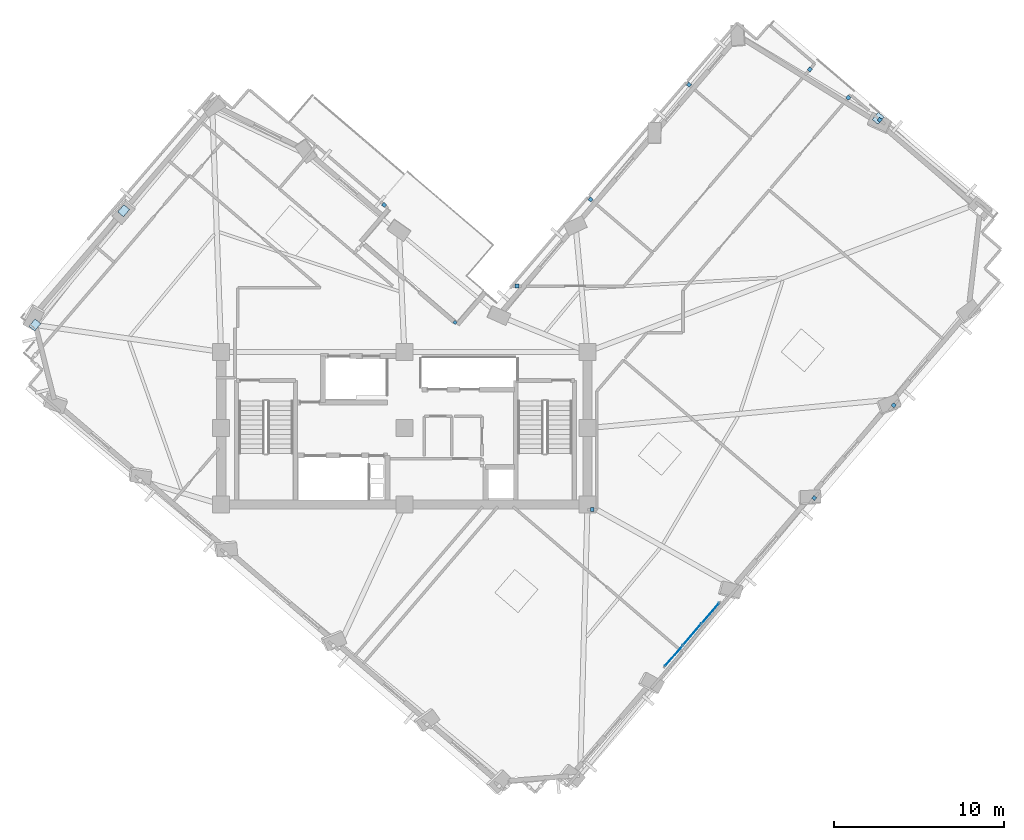
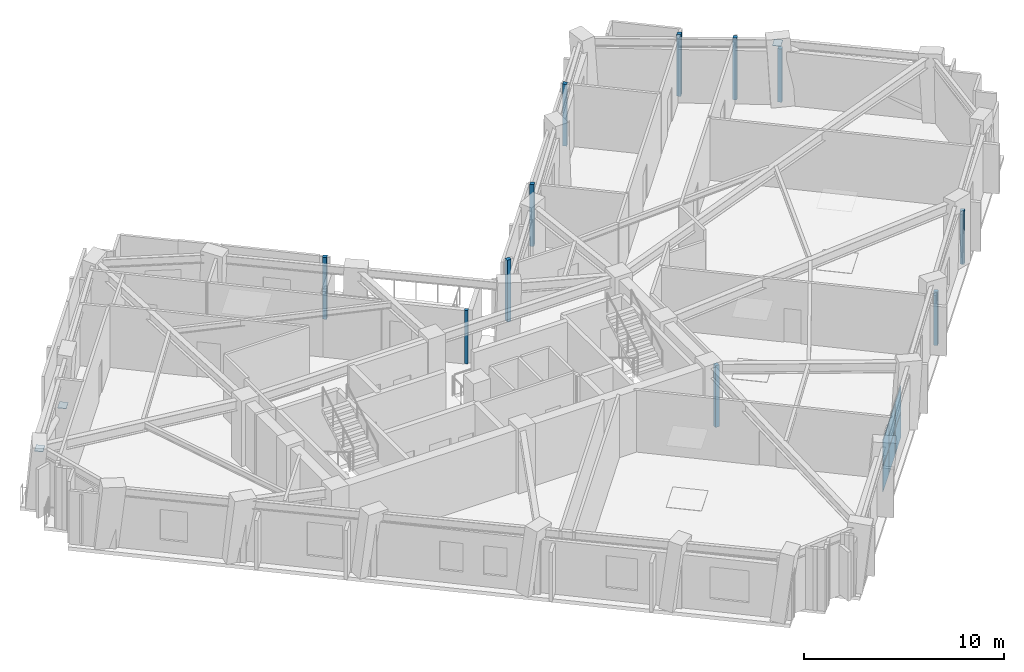
# One storey, part 4 of 12: 20 plates, 1 element without a shape of its own.
"""IFC4 building model written with IfcOpenShell, lengths in metres."""

from ifc_helpers import new_model, si_unit, direction, frame, origin, origin_2d, place, context, subcontext, project, spatial, rectangle, extrude, material, layer, layer_set, type_object, element, aggregate, save


model = new_model("IFC4")

# Units and contexts
model_context = context("Model", 3, precision=1e-05, world=origin(), true_north=direction((0.0, 1.0)))
body_context = subcontext(model_context, "Body", "Model", "MODEL_VIEW")
ifc_project = project(units=[si_unit("LENGTHUNIT", "METRE"), si_unit("AREAUNIT", "SQUARE_METRE"), si_unit("VOLUMEUNIT", "CUBIC_METRE"), si_unit("PLANEANGLEUNIT", "RADIAN"), si_unit("MASSUNIT", "GRAM", prefix="KILO")], contexts=[model_context])

# Site, building, storey
site_placement = place(None, origin())
site = spatial("IfcSite", under=ifc_project, at=site_placement, CompositionType="ELEMENT")
building_placement = place(site_placement, origin())
building = spatial("IfcBuilding", under=site, at=building_placement, Name="Gaonmaruhae Medical Tower", CompositionType="ELEMENT")
storey_placement = place(building_placement, frame((0.0, 0.0, 235.199951171875)))
storey = spatial("IfcBuildingStorey", under=building, at=storey_placement, Name="L56", CompositionType="ELEMENT", Elevation=235.199951171875)

# Curtain wall, plates
ifc_material_1 = material(Name="Anodised aluminium and Low-E double glazing", Category="aluminium")
curtain_wall_type = type_object("IfcCurtainWallType", Name="CW-S3 Spiralling Dayroom Ribbon Curtain Wall", PredefinedType="NOTDEFINED", material=ifc_material_1)
curtain_wall_placement = place(storey_placement, origin())
curtain_wall = element("IfcCurtainWall", 1, at=curtain_wall_placement, inside=storey, type_object=curtain_wall_type, Name="L56 Curtain Wall CW-L56-S02", PredefinedType="NOTDEFINED")
ifc_material_2 = material(Name="Insulated fritted spandrel glass", Category="glass")
ifc_layer_1 = layer(ifc_material_2, 0.0439453125)
ifc_layer_set_1 = layer_set([ifc_layer_1], Name="Insulated fritted spandrel glass")
plate_type_1 = type_object("IfcPlateType", Name="CWP-S1 Insulated Fritted Spandrel Panel", PredefinedType="CURTAIN_PANEL", material=ifc_layer_set_1)
plate_1_placement = place(storey_placement, frame((42.843994140625, 1.39501953125, 0.06494140625), z_axis=(0.0, 0.0, 1.0), x_axis=(-0.650781563084, -0.759265011146, 0.0)))
plate_1 = element("IfcPlate", 2, at=plate_1_placement, type_object=plate_type_1, Name="CW-S3 panel 1.1", PredefinedType="CURTAIN_PANEL", context=body_context, shape_type="SweptSolid", body=[
    extrude(rectangle(XDim=1.581298828125, YDim=0.0439453125, at=origin_2d()), origin(), (0.0, 0.0, 1.0), 1.534912109375),
])
plate_2_placement = place(storey_placement, frame((42.843994140625, 1.39501953125, 1.6650390625), z_axis=(0.0, 0.0, 1.0), x_axis=(-0.650781563084, -0.759265011146, 0.0)))
plate_2 = element("IfcPlate", 3, at=plate_2_placement, type_object=plate_type_1, Name="CW-S3 panel 1.2", PredefinedType="CURTAIN_PANEL", context=body_context, shape_type="SweptSolid", body=[
    extrude(rectangle(XDim=1.581298828125, YDim=0.0439453125, at=origin_2d()), origin(), (0.0, 0.0, 1.0), 1.534912109375),
])
plate_3_placement = place(storey_placement, frame((41.761962890625, 0.132568359375, 0.06494140625), z_axis=(0.0, 0.0, 1.0), x_axis=(-0.650781563084, -0.759265011146, 0.0)))
plate_3 = element("IfcPlate", 4, at=plate_3_placement, type_object=plate_type_1, Name="CW-S3 panel 2.1", PredefinedType="CURTAIN_PANEL", context=body_context, shape_type="SweptSolid", body=[
    extrude(rectangle(XDim=1.614013671875, YDim=0.0439453125, at=origin_2d()), origin(), (0.0, 0.0, 1.0), 1.534912109375),
])
plate_4_placement = place(storey_placement, frame((41.761962890625, 0.132568359375, 1.6650390625), z_axis=(0.0, 0.0, 1.0), x_axis=(-0.650781563084, -0.759265011146, 0.0)))
plate_4 = element("IfcPlate", 5, at=plate_4_placement, type_object=plate_type_1, Name="CW-S3 panel 2.2", PredefinedType="CURTAIN_PANEL", context=body_context, shape_type="SweptSolid", body=[
    extrude(rectangle(XDim=1.614013671875, YDim=0.0439453125, at=origin_2d()), origin(), (0.0, 0.0, 1.0), 1.534912109375),
])
plate_5_placement = place(storey_placement, frame((40.679931640625, -1.1298828125, 0.06494140625), z_axis=(0.0, 0.0, 1.0), x_axis=(-0.650781563084, -0.759265011146, 0.0)))
plate_5 = element("IfcPlate", 6, at=plate_5_placement, type_object=plate_type_1, Name="CW-S3 panel 3.1", PredefinedType="CURTAIN_PANEL", context=body_context, shape_type="SweptSolid", body=[
    extrude(rectangle(XDim=1.581298828125, YDim=0.0439453125, at=origin_2d()), origin(), (0.0, 0.0, 1.0), 1.534912109375),
])
plate_6_placement = place(storey_placement, frame((40.679931640625, -1.1298828125, 1.6650390625), z_axis=(0.0, 0.0, 1.0), x_axis=(-0.650781563084, -0.759265011146, 0.0)))
plate_6 = element("IfcPlate", 7, at=plate_6_placement, type_object=plate_type_1, Name="CW-S3 panel 3.2", PredefinedType="CURTAIN_PANEL", context=body_context, shape_type="SweptSolid", body=[
    extrude(rectangle(XDim=1.581298828125, YDim=0.0439453125, at=origin_2d()), origin(), (0.0, 0.0, 1.0), 1.534912109375),
])
aggregate(curtain_wall, [plate_1, plate_2, plate_3, plate_4, plate_5, plate_6])

# Plates
ifc_material_3 = material(Name="Steel HSA650 (650 MPa)", Category="steel")
ifc_layer_2 = layer(ifc_material_3, 0.028076171875)
ifc_layer_set_2 = layer_set([ifc_layer_2], Name="Steel HSA650 (650 MPa)")
plate_type_2 = type_object("IfcPlateType", Name="GP-02 Tube Brace End Cap Gusset Plate", PredefinedType="USERDEFINED", material=ifc_layer_set_2)
for number, where, z_axis, x_axis, name in (
    (8, (52.732421875, 30.56884765625, 3.51611328125), (0.0, 0.0, 1.0), (0.638096146601, 0.769956692089, 0.0), "L56 Gusset Cap Plate PLT-L56-PBR-E01B"),
    (9, (8.257080078125, 25.119384765625, 0.23583984375), (0.0, 0.0, 1.0), (0.650774217266, 0.759271307335, 0.0), "L56 Gusset Cap Plate PLT-L56-PBR-N02A"),
    (10, (3.02294921875, 18.385498046875, 3.51611328125), (0.0, 0.0, 1.0), (0.638096146601, 0.769956692089, 0.0), "L56 Gusset Cap Plate PLT-L56-PBR-N02B"),
):
    element("IfcPlate", number, at=place(storey_placement, frame(where, z_axis=z_axis, x_axis=x_axis)), inside=storey, type_object=plate_type_2, Name=name, ObjectType="GUSSET_PLATE", PredefinedType="USERDEFINED", context=body_context, shape_type="SweptSolid", body=[
        extrude(rectangle(XDim=0.56005859375, YDim=0.43994140625, at=origin_2d()), origin(), (0.0, 0.0, 1.0), 0.028076171875),
    ])
ifc_material_4 = material(Name="Anodised aluminium 6063-T6", Category="aluminium")
ifc_layer_3 = layer(ifc_material_4, 0.011962890625)
ifc_layer_set_3 = layer_set([ifc_layer_3], Name="Anodised aluminium 6063-T6")
plate_type_3 = type_object("IfcPlateType", Name="PP-01 Interior Partition Corner Stiffener Plate", PredefinedType="SHEET", material=ifc_layer_set_3)
plate_7_placement = place(storey_placement, frame((27.788818359375, 18.533203125, 0.0), z_axis=(0.0, 0.0, 1.0), x_axis=(0.759271307335, -0.650774217266, 0.0)))
element("IfcPlate", 11, at=plate_7_placement, inside=storey, type_object=plate_type_3, Name="L56 Partition End Jamb Post Plate PLT-L56-ENDP-TERB-1", PredefinedType="SHEET", context=body_context, shape_type="SweptSolid", body=[
    extrude(rectangle(XDim=0.179931640625, YDim=0.179931640625, at=origin_2d()), origin(), (0.0, 0.0, 1.0), 3.264892578125),
])
plate_8_placement = place(storey_placement, frame((35.875, 7.5, 0.0), z_axis=(0.0, 0.0, 1.0), x_axis=(1.0, 0.0, 0.0)))
element("IfcPlate", 12, at=plate_8_placement, inside=storey, type_object=plate_type_3, Name="L56 Partition Corner Stiffener Plate PLT-L56-JGP-PW021", PredefinedType="SHEET", context=body_context, shape_type="SweptSolid", body=[
    extrude(rectangle(XDim=0.219970703125, YDim=0.219970703125, at=origin_2d()), origin(), (0.0, 0.0, 1.0), 3.780029296875),
])
for number, where, z_axis, x_axis, name in (
    (13, (53.651611328125, 13.651611328125, 0.0), (0.0, 0.0, 1.0), (-0.65068144992, -0.759350808738, 0.0), "L56 Partition Corner Stiffener Plate PLT-L56-JGP-PW026"),
    (14, (48.966552734375, 8.1845703125, 0.0), (0.0, 0.0, 1.0), (-0.650893475295, -0.759169074593, 0.0), "L56 Partition Corner Stiffener Plate PLT-L56-JGP-PW027"),
):
    element("IfcPlate", number, at=place(storey_placement, frame(where, z_axis=z_axis, x_axis=x_axis)), inside=storey, type_object=plate_type_3, Name=name, PredefinedType="SHEET", context=body_context, shape_type="SweptSolid", body=[
        extrude(rectangle(XDim=0.219970703125, YDim=0.219970703125, at=origin_2d()), origin(), (0.0, 0.0, 1.0), 3.264892578125),
    ])
plate_9_placement = place(storey_placement, frame((50.9755859375, 31.780517578125, 0.0), z_axis=(0.0, 0.0, 1.0), x_axis=(0.650986220436, 0.759089547288, 0.0)))
element("IfcPlate", 15, at=plate_9_placement, inside=storey, type_object=plate_type_3, Name="L56 Partition Corner Stiffener Plate PLT-L56-JGP-PW032", PredefinedType="SHEET", context=body_context, shape_type="SweptSolid", body=[
    extrude(rectangle(XDim=0.219970703125, YDim=0.219970703125, at=origin_2d()), origin(), (0.0, 0.0, 1.0), 3.780029296875),
])
plate_10_placement = place(storey_placement, frame((52.826416015625, 30.474609375, 0.0), z_axis=(0.0, 0.0, 1.0), x_axis=(0.759702750119, -0.650270506375, 0.0)))
element("IfcPlate", 16, at=plate_10_placement, inside=storey, type_object=plate_type_3, Name="L56 Partition Corner Stiffener Plate PLT-L56-JGP-PW034", PredefinedType="SHEET", context=body_context, shape_type="SweptSolid", body=[
    extrude(rectangle(XDim=0.219970703125, YDim=0.219970703125, at=origin_2d()), origin(), (0.0, 0.0, 1.0), 3.264892578125),
])
for number, where, z_axis, x_axis, name in (
    (17, (35.782958984375, 25.783447265625, 0.0), (0.0, 0.0, 1.0), (0.759089547288, -0.650986220436, 0.0), "L56 Partition Corner Stiffener Plate PLT-L56-JGP-PW056"),
    (18, (31.446044921875, 20.679931640625, 0.0), (0.0, 0.0, 1.0), (-1.0, 0.0, 0.0), "L56 Partition Corner Stiffener Plate PLT-L56-JGP-PW060"),
    (19, (41.580078125, 32.547607421875, 0.0), (0.0, 0.0, 1.0), (0.759089547288, -0.650986220436, 0.0), "L56 Partition Corner Stiffener Plate PLT-L56-JGP-PW063"),
    (20, (48.70703125, 33.451904296875, 0.0), (0.0, 0.0, 1.0), (-0.650416346847, -0.759577893144, 0.0), "L56 Partition Corner Stiffener Plate PLT-L56-JGP-PW067"),
    (21, (23.60791015625, 25.46142578125, 0.0), (0.0, 0.0, 1.0), (0.758361915289, -0.651833725301, 0.0), "L56 Partition Corner Stiffener Plate PLT-L56-JGP-PW075"),
):
    element("IfcPlate", number, at=place(storey_placement, frame(where, z_axis=z_axis, x_axis=x_axis)), inside=storey, type_object=plate_type_3, Name=name, PredefinedType="SHEET", context=body_context, shape_type="SweptSolid", body=[
        extrude(rectangle(XDim=0.219970703125, YDim=0.219970703125, at=origin_2d()), origin(), (0.0, 0.0, 1.0), 3.780029296875),
    ])

save(model, "model.ifc")
